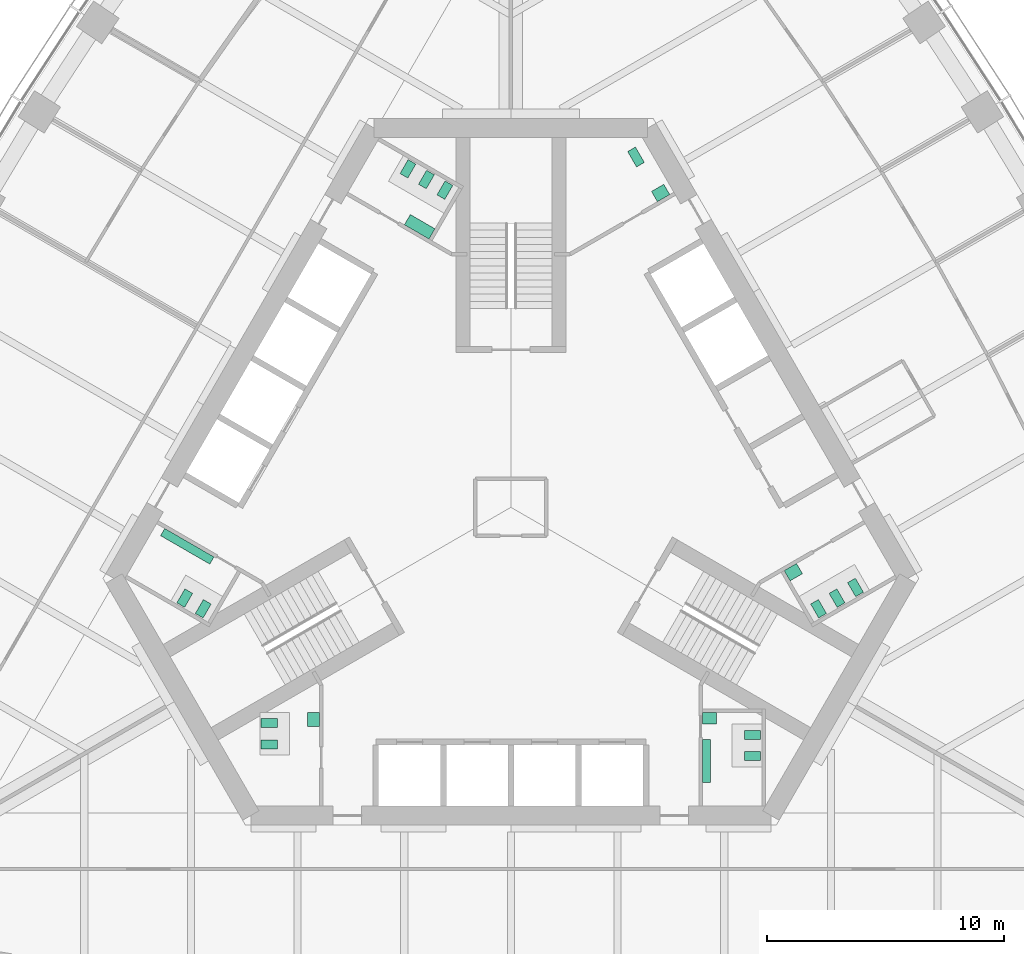
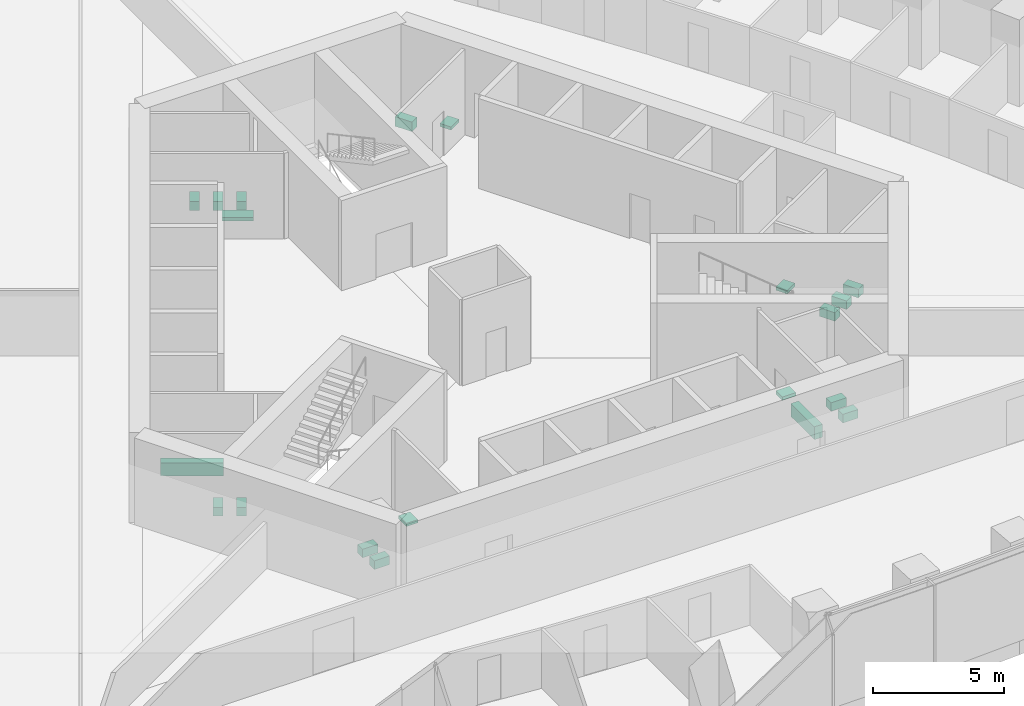
# One storey, part 18 of 19: 20 sanitary terminals.
"""IFC4 building model written with IfcOpenShell, lengths in metres."""

from ifc_helpers import new_model, si_unit, direction, frame, origin, place, context, subcontext, project, spatial, polyline, outline, extrude, material, type_object, element, save


model = new_model("IFC4")

# Units and contexts
model_context = context("Model", 3, precision=1e-05, world=origin(), true_north=direction((0.0, 1.0)))
body_context = subcontext(model_context, "Body", "Model", "MODEL_VIEW")
ifc_project = project(units=[si_unit("LENGTHUNIT", "METRE"), si_unit("AREAUNIT", "SQUARE_METRE"), si_unit("VOLUMEUNIT", "CUBIC_METRE"), si_unit("PLANEANGLEUNIT", "RADIAN"), si_unit("MASSUNIT", "GRAM", prefix="KILO")], contexts=[model_context])

# Site, building, storey
site_placement = place(None, origin())
site = spatial("IfcSite", under=ifc_project, at=site_placement, CompositionType="ELEMENT")
building_placement = place(site_placement, origin())
building = spatial("IfcBuilding", under=site, at=building_placement, Name="Trefoil Bronze Tower", CompositionType="ELEMENT")
storey_placement = place(building_placement, frame((0.0, 0.0, 136.699951171875)))
storey = spatial("IfcBuildingStorey", under=building, at=storey_placement, Name="L31", CompositionType="ELEMENT", Elevation=136.699951171875)

# Sanitary terminals
ifc_material_1 = material(Name="Vitreous china", Category="ceramic")
sanitary_terminal_type_1 = type_object("IfcSanitaryTerminalType", Name="Accessible WC pan", PredefinedType="TOILETPAN", material=ifc_material_1)
sanitary_terminal_1_placement = place(storey_placement, origin())
element("IfcSanitaryTerminal", 1, at=sanitary_terminal_1_placement, inside=storey, type_object=sanitary_terminal_type_1, Name="WC pan 1 Accessible WC L31", PredefinedType="TOILETPAN", context=body_context, shape_type="SweptSolid", body=[
    extrude(outline(polyline([(5.300537109375, 14.359130859375), (4.925537109375, 15.008544921875), (5.254638671875, 15.198486328125), (5.629638671875, 14.549072265625), (5.300537109375, 14.359130859375)])), origin(), (0.0, 0.0, 1.0), 0.449951171875),
])
ifc_material_2 = material(Name="Vitreous china", Category="ceramic")
sanitary_terminal_type_2 = type_object("IfcSanitaryTerminalType", Name="Accessible basin", PredefinedType="WASHHANDBASIN", material=ifc_material_2)
sanitary_terminal_2_placement = place(storey_placement, frame((0.0, 0.0, 0.650146484375)))
element("IfcSanitaryTerminal", 2, at=sanitary_terminal_2_placement, inside=storey, type_object=sanitary_terminal_type_2, Name="Wash basin Accessible WC L31", PredefinedType="WASHHANDBASIN", context=body_context, shape_type="SweptSolid", body=[
    extrude(outline(polyline([(6.181640625, 12.89306640625), (5.931640625, 13.326171875), (6.451171875, 13.626220703125), (6.701171875, 13.193115234375), (6.181640625, 12.89306640625)])), origin(), (0.0, 0.0, 1.0), 0.14990234375),
])
ifc_material_3 = material(Name="Vitreous china", Category="ceramic")
sanitary_terminal_type_3 = type_object("IfcSanitaryTerminalType", Name="Urinal range 3 urinals", PredefinedType="URINAL", material=ifc_material_3)
sanitary_terminal_3_placement = place(storey_placement, frame((0.0, 0.0, 0.400146484375)))
element("IfcSanitaryTerminal", 3, at=sanitary_terminal_3_placement, inside=storey, type_object=sanitary_terminal_type_3, Name="Urinal range WC (men) L31", PredefinedType="URINAL", context=body_context, shape_type="SweptSolid", body=[
    extrude(outline(polyline([(8.074951171875, -9.800048828125), (8.425048828125, -9.800048828125), (8.425048828125, -11.60009765625), (8.074951171875, -11.60009765625), (8.074951171875, -9.800048828125)])), origin(), (0.0, 0.0, 1.0), 0.599853515625),
])
ifc_material_4 = material(Name="Vitreous china", Category="ceramic")
sanitary_terminal_type_4 = type_object("IfcSanitaryTerminalType", Name="Urinal range 4 urinals", PredefinedType="URINAL", material=ifc_material_4)
sanitary_terminal_4_placement = place(storey_placement, frame((0.0, 0.0, 0.400146484375)))
element("IfcSanitaryTerminal", 4, at=sanitary_terminal_4_placement, inside=storey, type_object=sanitary_terminal_type_4, Name="Urinal range WC (men) L31", PredefinedType="URINAL", context=body_context, shape_type="SweptSolid", body=[
    extrude(outline(polyline([(-12.524658203125, -2.09326171875), (-12.699462890625, -2.396240234375), (-14.778076171875, -1.1962890625), (-14.60302734375, -0.89306640625), (-12.524658203125, -2.09326171875)])), origin(), (0.0, 0.0, 1.0), 0.599853515625),
])
ifc_material_5 = material(Name="Solid surface vanity", Category="plastic")
sanitary_terminal_type_5 = type_object("IfcSanitaryTerminalType", Name="Vanity unit 1 basins", PredefinedType="WASHHANDBASIN", material=ifc_material_5)
sanitary_terminal_5_placement = place(storey_placement, frame((0.0, 0.0, 0.75)))
element("IfcSanitaryTerminal", 5, at=sanitary_terminal_5_placement, inside=storey, type_object=sanitary_terminal_type_5, Name="Vanity unit WC (men) L31", PredefinedType="WASHHANDBASIN", context=body_context, shape_type="SweptSolid", body=[
    extrude(outline(polyline([(8.074951171875, -8.64990234375), (8.675048828125, -8.64990234375), (8.675048828125, -9.14990234375), (8.074951171875, -9.14990234375), (8.074951171875, -8.64990234375)])), origin(), (0.0, 0.0, 1.0), 0.150146484375),
])
sanitary_terminal_6_placement = place(storey_placement, frame((0.0, 0.0, 0.75)))
element("IfcSanitaryTerminal", 6, at=sanitary_terminal_6_placement, inside=storey, type_object=sanitary_terminal_type_5, Name="Vanity unit WC (women) L31", PredefinedType="WASHHANDBASIN", context=body_context, shape_type="SweptSolid", body=[
    extrude(outline(polyline([(11.528564453125, -2.668212890625), (11.778564453125, -3.10107421875), (12.29833984375, -2.80126953125), (12.04833984375, -2.3681640625), (11.528564453125, -2.668212890625)])), origin(), (0.0, 0.0, 1.0), 0.150146484375),
])
sanitary_terminal_7_placement = place(storey_placement, frame((0.0, 0.0, 0.75)))
element("IfcSanitaryTerminal", 7, at=sanitary_terminal_7_placement, inside=storey, type_object=sanitary_terminal_type_5, Name="Vanity unit WC (women) L31", PredefinedType="WASHHANDBASIN", context=body_context, shape_type="SweptSolid", body=[
    extrude(outline(polyline([(-8.074951171875, -8.64990234375), (-8.574951171875, -8.64990234375), (-8.574951171875, -9.25), (-8.074951171875, -9.25), (-8.074951171875, -8.64990234375)])), origin(), (0.0, 0.0, 1.0), 0.150146484375),
])
ifc_material_6 = material(Name="Solid surface vanity", Category="plastic")
sanitary_terminal_type_6 = type_object("IfcSanitaryTerminalType", Name="Vanity unit 2 basins", PredefinedType="WASHHANDBASIN", material=ifc_material_6)
sanitary_terminal_8_placement = place(storey_placement, frame((0.0, 0.0, 0.75)))
element("IfcSanitaryTerminal", 8, at=sanitary_terminal_8_placement, inside=storey, type_object=sanitary_terminal_type_6, Name="Vanity unit WC (women) L31", PredefinedType="WASHHANDBASIN", context=body_context, shape_type="SweptSolid", body=[
    extrude(outline(polyline([(-3.45361328125, 11.318115234375), (-3.20361328125, 11.751220703125), (-4.242919921875, 12.35107421875), (-4.492919921875, 11.918212890625), (-3.45361328125, 11.318115234375)])), origin(), (0.0, 0.0, 1.0), 0.150146484375),
])
ifc_material_7 = material(Name="Vitreous china", Category="ceramic")
sanitary_terminal_type_7 = type_object("IfcSanitaryTerminalType", Name="WC pan", PredefinedType="TOILETPAN", material=ifc_material_7)
sanitary_terminal_9_placement = place(storey_placement, origin())
element("IfcSanitaryTerminal", 9, at=sanitary_terminal_9_placement, inside=storey, type_object=sanitary_terminal_type_7, Name="WC pan 1 WC (men) L31", PredefinedType="TOILETPAN", context=body_context, shape_type="SweptSolid", body=[
    extrude(outline(polyline([(9.85498046875, -9.409912109375), (10.534912109375, -9.409912109375), (10.534912109375, -9.7900390625), (9.85498046875, -9.7900390625), (9.85498046875, -9.409912109375)])), origin(), (0.0, 0.0, 1.0), 0.400146484375),
])
sanitary_terminal_10_placement = place(storey_placement, origin())
element("IfcSanitaryTerminal", 10, at=sanitary_terminal_10_placement, inside=storey, type_object=sanitary_terminal_type_7, Name="WC pan 2 WC (men) L31", PredefinedType="TOILETPAN", context=body_context, shape_type="SweptSolid", body=[
    extrude(outline(polyline([(9.85498046875, -10.31005859375), (10.534912109375, -10.31005859375), (10.534912109375, -10.68994140625), (9.85498046875, -10.68994140625), (9.85498046875, -10.31005859375)])), origin(), (0.0, 0.0, 1.0), 0.400146484375),
])
sanitary_terminal_11_placement = place(storey_placement, origin())
element("IfcSanitaryTerminal", 11, at=sanitary_terminal_11_placement, inside=storey, type_object=sanitary_terminal_type_7, Name="WC pan 1 WC (women) L31", PredefinedType="TOILETPAN", context=body_context, shape_type="SweptSolid", body=[
    extrude(outline(polyline([(12.643798828125, -4.07958984375), (12.98388671875, -4.66845703125), (13.31298828125, -4.478515625), (12.972900390625, -3.8896484375), (12.643798828125, -4.07958984375)])), origin(), (0.0, 0.0, 1.0), 0.400146484375),
])
sanitary_terminal_12_placement = place(storey_placement, origin())
element("IfcSanitaryTerminal", 12, at=sanitary_terminal_12_placement, inside=storey, type_object=sanitary_terminal_type_7, Name="WC pan 2 WC (women) L31", PredefinedType="TOILETPAN", context=body_context, shape_type="SweptSolid", body=[
    extrude(outline(polyline([(13.423095703125, -3.629638671875), (13.76318359375, -4.218505859375), (14.09228515625, -4.028564453125), (13.752197265625, -3.439697265625), (13.423095703125, -3.629638671875)])), origin(), (0.0, 0.0, 1.0), 0.400146484375),
])
sanitary_terminal_13_placement = place(storey_placement, origin())
element("IfcSanitaryTerminal", 13, at=sanitary_terminal_13_placement, inside=storey, type_object=sanitary_terminal_type_7, Name="WC pan 3 WC (women) L31", PredefinedType="TOILETPAN", context=body_context, shape_type="SweptSolid", body=[
    extrude(outline(polyline([(14.20263671875, -3.1796875), (14.542724609375, -3.7685546875), (14.871826171875, -3.57861328125), (14.53173828125, -2.98974609375), (14.20263671875, -3.1796875)])), origin(), (0.0, 0.0, 1.0), 0.400146484375),
])
sanitary_terminal_14_placement = place(storey_placement, origin())
element("IfcSanitaryTerminal", 14, at=sanitary_terminal_14_placement, inside=storey, type_object=sanitary_terminal_type_7, Name="WC pan 1 WC (women) L31", PredefinedType="TOILETPAN", context=body_context, shape_type="SweptSolid", body=[
    extrude(outline(polyline([(-2.788818359375, 12.98974609375), (-2.44873046875, 13.57861328125), (-2.77783203125, 13.7685546875), (-3.117919921875, 13.1796875), (-2.788818359375, 12.98974609375)])), origin(), (0.0, 0.0, 1.0), 0.400146484375),
])
sanitary_terminal_15_placement = place(storey_placement, origin())
element("IfcSanitaryTerminal", 15, at=sanitary_terminal_15_placement, inside=storey, type_object=sanitary_terminal_type_7, Name="WC pan 2 WC (women) L31", PredefinedType="TOILETPAN", context=body_context, shape_type="SweptSolid", body=[
    extrude(outline(polyline([(-3.568115234375, 13.439697265625), (-3.228271484375, 14.028564453125), (-3.557373046875, 14.218505859375), (-3.897216796875, 13.629638671875), (-3.568115234375, 13.439697265625)])), origin(), (0.0, 0.0, 1.0), 0.400146484375),
])
sanitary_terminal_16_placement = place(storey_placement, origin())
element("IfcSanitaryTerminal", 16, at=sanitary_terminal_16_placement, inside=storey, type_object=sanitary_terminal_type_7, Name="WC pan 3 WC (women) L31", PredefinedType="TOILETPAN", context=body_context, shape_type="SweptSolid", body=[
    extrude(outline(polyline([(-4.34765625, 13.8896484375), (-4.007568359375, 14.478515625), (-4.336669921875, 14.66845703125), (-4.6767578125, 14.07958984375), (-4.34765625, 13.8896484375)])), origin(), (0.0, 0.0, 1.0), 0.400146484375),
])
sanitary_terminal_17_placement = place(storey_placement, origin())
element("IfcSanitaryTerminal", 17, at=sanitary_terminal_17_placement, inside=storey, type_object=sanitary_terminal_type_7, Name="WC pan 1 WC (men) L31", PredefinedType="TOILETPAN", context=body_context, shape_type="SweptSolid", body=[
    extrude(outline(polyline([(-12.643798828125, -4.07958984375), (-12.98388671875, -4.66845703125), (-13.31298828125, -4.478515625), (-12.972900390625, -3.8896484375), (-12.643798828125, -4.07958984375)])), origin(), (0.0, 0.0, 1.0), 0.400146484375),
])
sanitary_terminal_18_placement = place(storey_placement, origin())
element("IfcSanitaryTerminal", 18, at=sanitary_terminal_18_placement, inside=storey, type_object=sanitary_terminal_type_7, Name="WC pan 2 WC (men) L31", PredefinedType="TOILETPAN", context=body_context, shape_type="SweptSolid", body=[
    extrude(outline(polyline([(-13.423095703125, -3.629638671875), (-13.76318359375, -4.218505859375), (-14.09228515625, -4.028564453125), (-13.752197265625, -3.439697265625), (-13.423095703125, -3.629638671875)])), origin(), (0.0, 0.0, 1.0), 0.400146484375),
])
sanitary_terminal_19_placement = place(storey_placement, origin())
element("IfcSanitaryTerminal", 19, at=sanitary_terminal_19_placement, inside=storey, type_object=sanitary_terminal_type_7, Name="WC pan 1 WC (women) L31", PredefinedType="TOILETPAN", context=body_context, shape_type="SweptSolid", body=[
    extrude(outline(polyline([(-9.85498046875, -8.909912109375), (-10.534912109375, -8.909912109375), (-10.534912109375, -9.2900390625), (-9.85498046875, -9.2900390625), (-9.85498046875, -8.909912109375)])), origin(), (0.0, 0.0, 1.0), 0.400146484375),
])
sanitary_terminal_20_placement = place(storey_placement, origin())
element("IfcSanitaryTerminal", 20, at=sanitary_terminal_20_placement, inside=storey, type_object=sanitary_terminal_type_7, Name="WC pan 2 WC (women) L31", PredefinedType="TOILETPAN", context=body_context, shape_type="SweptSolid", body=[
    extrude(outline(polyline([(-9.85498046875, -9.81005859375), (-10.534912109375, -9.81005859375), (-10.534912109375, -10.18994140625), (-9.85498046875, -10.18994140625), (-9.85498046875, -9.81005859375)])), origin(), (0.0, 0.0, 1.0), 0.400146484375),
])

save(model, "model.ifc")
